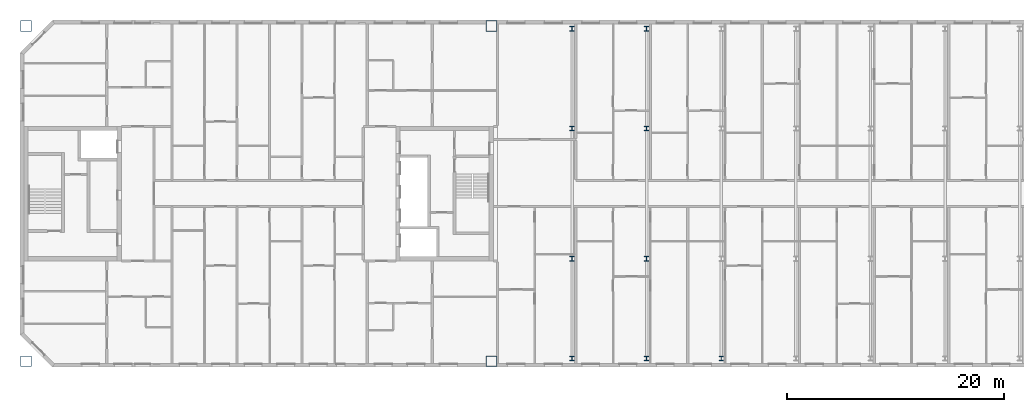
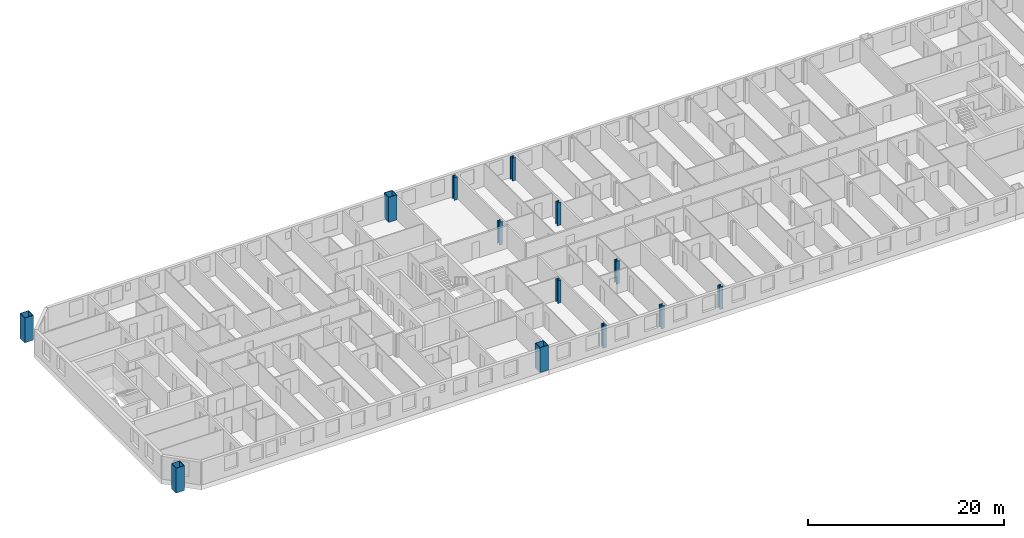
# One storey, part 1 of 19: 13 columns.
"""IFC4 building model written with IfcOpenShell, lengths in metres."""

from ifc_helpers import new_model, si_unit, direction, frame, origin, origin_2d, place, context, subcontext, project, spatial, hollow_rectangle, i_section, extrude, material, material_profile, profile_set, type_object, element, save


model = new_model("IFC4")

# Units and contexts
model_context = context("Model", 3, precision=1e-05, world=origin(), true_north=direction((0.0, 1.0)))
body_context = subcontext(model_context, "Body", "Model", "MODEL_VIEW")
ifc_project = project(units=[si_unit("LENGTHUNIT", "METRE"), si_unit("AREAUNIT", "SQUARE_METRE"), si_unit("VOLUMEUNIT", "CUBIC_METRE"), si_unit("PLANEANGLEUNIT", "RADIAN"), si_unit("MASSUNIT", "GRAM", prefix="KILO")], contexts=[model_context])

# Site, building, storey
site_placement = place(None, origin())
site = spatial("IfcSite", under=ifc_project, at=site_placement, CompositionType="ELEMENT")
building_placement = place(site_placement, origin())
building = spatial("IfcBuilding", under=site, at=building_placement, Name="Tuart Gate Housing", CompositionType="ELEMENT")
storey_placement = place(building_placement, frame((0.0, 0.0, 221.39990234375)))
storey = spatial("IfcBuildingStorey", under=building, at=storey_placement, Name="L62", CompositionType="ELEMENT", Elevation=221.39990234375)

# Columns
ifc_material_1 = material(Name="Steel Grade 350", Category="steel")
ifc_material_profile_1 = material_profile(ifc_material_1, i_section(OverallWidth=0.39990234375, OverallDepth=0.429931640625, WebThickness=0.0400390625, FlangeThickness=0.0400390625, at=origin_2d()), Name="400WC361")
ifc_profile_set_1 = profile_set([ifc_material_profile_1], Name="Steel Grade 350")
column_type_1 = type_object("IfcColumnType", Name="Link column 400 WC361", PredefinedType="COLUMN", material=ifc_profile_set_1)
for number, where, z_axis, x_axis, name in (
    (1, (82.875, 54.800048828125, 0.0), (0.0, 0.0, 1.0), (1.0, 0.0, 0.0), "Link column line 1 point 1 L62"),
    (2, (89.75, 54.800048828125, 0.0), (0.0, 0.0, 1.0), (1.0, 0.0, 0.0), "Link column line 1 point 2 L62"),
    (3, (96.625, 54.800048828125, 0.0), (0.0, 0.0, 1.0), (1.0, 0.0, 0.0), "Link column line 1 point 3 L62"),
    (4, (82.875, 64.0, 0.0), (0.0, 0.0, 1.0), (1.0, 0.0, 0.0), "Link column line 2 point 1 L62"),
    (5, (89.75, 64.0, 0.0), (0.0, 0.0, 1.0), (1.0, 0.0, 0.0), "Link column line 2 point 2 L62"),
    (6, (82.875, 76.0, 0.0), (0.0, 0.0, 1.0), (1.0, 0.0, 0.0), "Link column line 3 point 1 L62"),
    (7, (89.75, 76.0, 0.0), (0.0, 0.0, 1.0), (1.0, 0.0, 0.0), "Link column line 3 point 2 L62"),
    (8, (82.875, 85.199951171875, 0.0), (0.0, 0.0, 1.0), (1.0, 0.0, 0.0), "Link column line 4 point 1 L62"),
    (9, (89.75, 85.199951171875, 0.0), (0.0, 0.0, 1.0), (1.0, 0.0, 0.0), "Link column line 4 point 2 L62"),
):
    element("IfcColumn", number, at=place(storey_placement, frame(where, z_axis=z_axis, x_axis=x_axis)), inside=storey, type_object=column_type_1, Name=name, PredefinedType="COLUMN", context=body_context, shape_type="SweptSolid", body=[
        extrude(i_section(OverallWidth=0.39990234375, OverallDepth=0.429931640625, WebThickness=0.0400390625, FlangeThickness=0.0400390625, at=origin_2d()), origin(), (0.0, 0.0, 1.0), 2.85009765625),
    ])
ifc_material_2 = material(Name="Steel Grade 350", Category="steel")
ifc_material_profile_2 = material_profile(ifc_material_2, hollow_rectangle(XDim=1.0, YDim=1.0, WallThickness=0.054931640625, at=origin_2d()), Name="BOX 1000x1000x55")
ifc_profile_set_2 = profile_set([ifc_material_profile_2], Name="Steel Grade 350")
column_type_2 = type_object("IfcColumnType", Name="Mega column BOX 1000x1000x55", PredefinedType="COLUMN", material=ifc_profile_set_2)
for number, where, z_axis, x_axis, name in (
    (10, (32.550048828125, 54.550048828125, 0.0), (0.0, 0.0, 1.0), (1.0, 0.0, 0.0), "Mega column A south-west L62"),
    (11, (75.449951171875, 54.550048828125, 0.0), (0.0, 0.0, 1.0), (1.0, 0.0, 0.0), "Mega column A south-east L62"),
    (12, (75.449951171875, 85.449951171875, 0.0), (0.0, 0.0, 1.0), (1.0, 0.0, 0.0), "Mega column A north-east L62"),
    (13, (32.550048828125, 85.449951171875, 0.0), (0.0, 0.0, 1.0), (1.0, 0.0, 0.0), "Mega column A north-west L62"),
):
    element("IfcColumn", number, at=place(storey_placement, frame(where, z_axis=z_axis, x_axis=x_axis)), inside=storey, type_object=column_type_2, Name=name, PredefinedType="COLUMN", context=body_context, shape_type="SweptSolid", body=[
        extrude(hollow_rectangle(XDim=1.0, YDim=1.0, WallThickness=0.054931640625, at=origin_2d()), origin(), (0.0, 0.0, 1.0), 3.10009765625),
    ])

save(model, "model.ifc")
